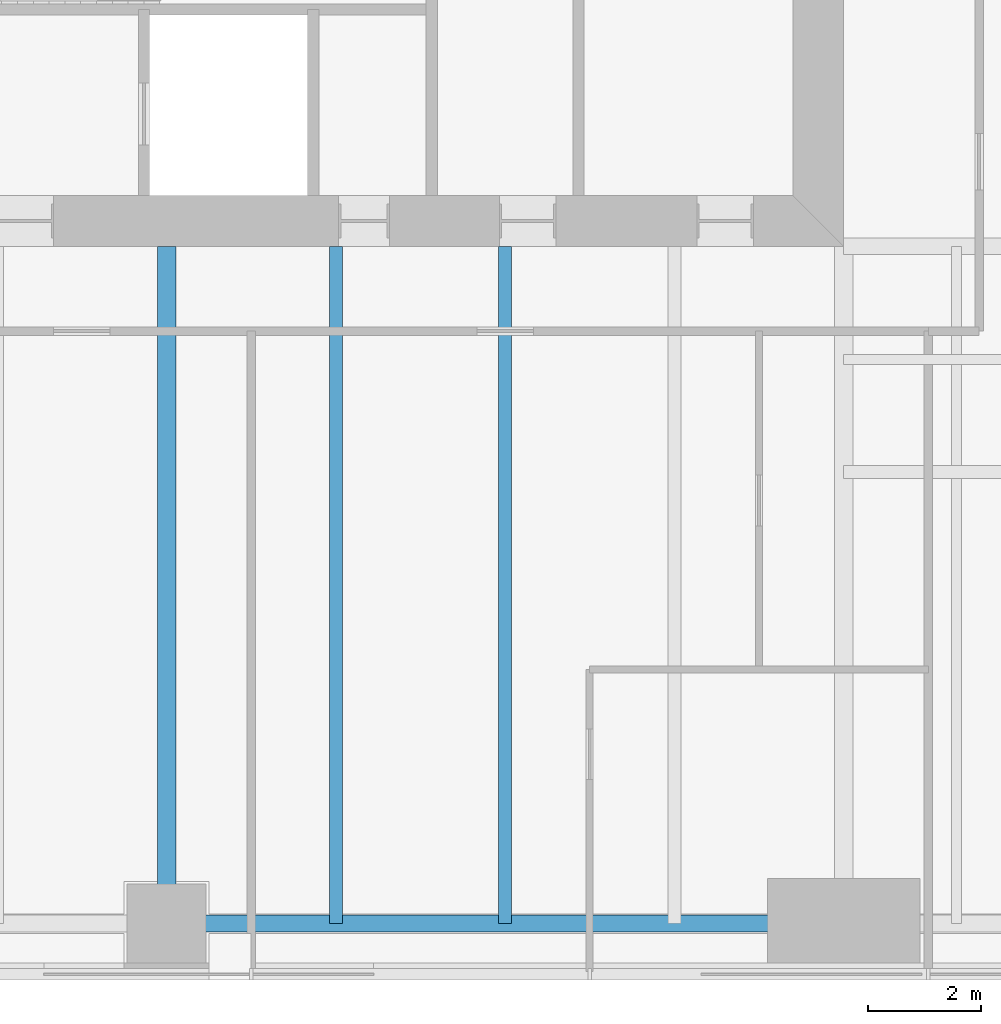
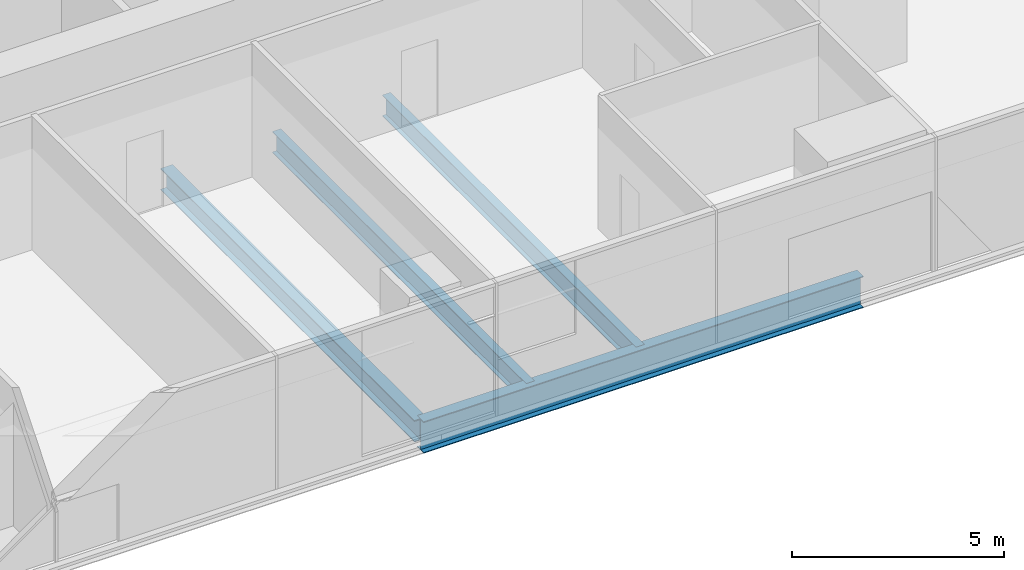
# One storey, part 3 of 14: 4 beams.
"""IFC4 building model written with IfcOpenShell, lengths in metres."""

import ifcopenshell
import ifcopenshell.guid

model = None  # the IFC model being written
_history = None  # IfcOwnerHistory: only IFC2X3 demands one
_inside = {}  # id of a spatial element -> (the spatial element, [elements in it])
_under = {}  # id of a project, library or spatial element -> (it, [spatial elements below it])
_declared = {}  # id of a project -> (the project, [libraries it declares])
_typed = {}  # id of a type object -> (the type object, [elements of that type])
_made_of = {}  # id of a material, layer set ... -> (it, [elements and type objects made of it])


def new_model(schema):
    """Start an empty IFC model of exactly this schema.

    Asked for "IFC4X3", IfcOpenShell would pick the latest addendum, in which some entities
    have other attributes; the version numbers below select the first issue.
    IFC2X3 requires an IfcOwnerHistory on every rooted entity: one is made here for all.
    """
    global model, _history
    if schema == "IFC4X3":
        model = ifcopenshell.file(schema_version=(4, 3, 0, 0))
    else:
        model = ifcopenshell.file(schema=schema)
    _inside.clear()
    _under.clear()
    _declared.clear()
    _typed.clear()
    _made_of.clear()
    _history = None
    if model.schema == "IFC2X3":
        org = make("IfcOrganization", Name="unknown")
        user = make(
            "IfcPersonAndOrganization",
            ThePerson=make("IfcPerson", FamilyName="unknown"),
            TheOrganization=org,
        )
        app = make(
            "IfcApplication",
            ApplicationDeveloper=org,
            Version="unknown",
            ApplicationFullName="unknown",
            ApplicationIdentifier="unknown",
        )
        _history = make(
            "IfcOwnerHistory",
            OwningUser=user,
            OwningApplication=app,
            ChangeAction="ADDED",
            CreationDate=0,
        )
    return model


def make(cls, **values):
    """One entity of the class cls with the attributes given. An attribute that is None is left unset."""
    return model.create_entity(
        cls, **{name: value for name, value in values.items() if value is not None}
    )


def rooted(cls, **values):
    """An entity with a GlobalId (a new one), such as an element, a storey or a relation."""
    return make(cls, GlobalId=ifcopenshell.guid.new(), OwnerHistory=_history, **values)


def si_unit(unit_type, name, prefix=None):
    """IfcSIUnit, for example si_unit("LENGTHUNIT", "METRE", prefix="MILLI")."""
    return make("IfcSIUnit", UnitType=unit_type, Prefix=prefix, Name=name)


def assignment(units):
    """IfcUnitAssignment: the units of a project."""
    return None if units is None else make("IfcUnitAssignment", Units=units)


def point(xyz):
    """IfcCartesianPoint."""
    return None if xyz is None else make("IfcCartesianPoint", Coordinates=xyz)


def direction(xyz):
    """IfcDirection."""
    return None if xyz is None else make("IfcDirection", DirectionRatios=xyz)


def frame(location, z_axis=None, x_axis=None):
    """IfcAxis2Placement3D, a coordinate frame: its origin and axes. An axis left out is left unset."""
    return make(
        "IfcAxis2Placement3D",
        Location=point(location),
        Axis=direction(z_axis),
        RefDirection=direction(x_axis),
    )


def frame_2d(location, x_axis=None):
    """IfcAxis2Placement2D, a coordinate frame in the plane: its origin and x axis."""
    return make(
        "IfcAxis2Placement2D", Location=point(location), RefDirection=direction(x_axis)
    )


def origin():
    """The frame at (0, 0, 0) with its axes left unset."""
    return frame((0.0, 0.0, 0.0))


def origin_2d():
    """The frame at (0, 0) in the plane with its x axis left unset."""
    return frame_2d((0.0, 0.0))


def place(relative_to, where):
    """IfcLocalPlacement: puts the frame where relative to a parent placement (None: the world)."""
    return make(
        "IfcLocalPlacement", PlacementRelTo=relative_to, RelativePlacement=where
    )


def context(
    kind, dimensions, precision=None, world=None, true_north=None, identifier=None
):
    """IfcGeometricRepresentationContext, for example the 3D "Model" context."""
    return make(
        "IfcGeometricRepresentationContext",
        ContextIdentifier=identifier,
        ContextType=kind,
        CoordinateSpaceDimension=dimensions,
        Precision=precision,
        WorldCoordinateSystem=world,
        TrueNorth=true_north,
    )


def subcontext(parent, identifier, kind, view, scale=None):
    """IfcGeometricRepresentationSubContext, for example "Body" below "Model"."""
    return make(
        "IfcGeometricRepresentationSubContext",
        ContextIdentifier=identifier,
        ContextType=kind,
        ParentContext=parent,
        TargetScale=scale,
        TargetView=view,
    )


def project(units=None, contexts=None):
    """IfcProject with its units and contexts."""
    return rooted(
        "IfcProject",
        Name="project",
        RepresentationContexts=contexts,
        UnitsInContext=assignment(units),
    )


def spatial(cls, under=None, at=None, **own):
    """A site, building, storey or space (cls), placed at a placement, below another one or the project."""
    s = rooted(cls, ObjectPlacement=at, **own)
    if under is not None:
        _under.setdefault(under.id(), (under, []))[1].append(s)
    return s


def profile(cls, at=None, kind="AREA", **sizes):
    """A parametric profile (cls). Its sizes go by their IFC names, for example OverallWidth=200.0."""
    return make(cls, ProfileType=kind, Position=at, **sizes)


def i_section(**sizes):
    """IfcIShapeProfileDef."""
    return profile("IfcIShapeProfileDef", **sizes)


def extrude(swept, where, along, depth):
    """IfcExtrudedAreaSolid: the profile swept, set in the frame where, extruded along a direction by depth."""
    return make(
        "IfcExtrudedAreaSolid",
        SweptArea=swept,
        Position=where,
        ExtrudedDirection=direction(along),
        Depth=depth,
    )


def shape(context_of_items, identifier, shape_type, items):
    """IfcShapeRepresentation: the items that make up one representation, for example the "Body"."""
    return make(
        "IfcShapeRepresentation",
        ContextOfItems=context_of_items,
        RepresentationIdentifier=identifier,
        RepresentationType=shape_type,
        Items=items,
    )


def material(Name=None, Category=None):
    """IfcMaterial."""
    return make("IfcMaterial", Name=Name, Category=Category)


def material_profile(
    of_material, cross_section, Name=None, Category=None, Priority=None
):
    """IfcMaterialProfile: a cross section and its material."""
    return make(
        "IfcMaterialProfile",
        Name=Name,
        Material=of_material,
        Profile=cross_section,
        Priority=Priority,
        Category=Category,
    )


def profile_set(profiles, Name=None, composite=None):
    """IfcMaterialProfileSet."""
    return make(
        "IfcMaterialProfileSet",
        Name=Name,
        MaterialProfiles=profiles,
        CompositeProfile=composite,
    )


def made_of(thing, what):
    """Note that an element or type object is made of a material, layer set ...; save() writes the relation."""
    if what is not None:
        _made_of.setdefault(what.id(), (what, []))[1].append(thing)
    return thing


def type_object(cls, material=None, **own):
    """A type object (cls), such as IfcWallType, which elements share."""
    return made_of(rooted(cls, **own), material)


def element(
    cls,
    number,
    at=None,
    inside=None,
    cuts=None,
    type_object=None,
    material=None,
    context=None,
    identifier="Body",
    shape_type=None,
    held_by="IfcProductDefinitionShape",
    body=None,
    shapes=None,
    **own,
):
    """One element of the class cls, such as IfcWall. Its Tag is "e" and its number.

    at: its placement. inside: the storey or other place that contains it. cuts: it is an
    opening in that element (IfcRelVoidsElement). A single representation is given by context,
    identifier, shape_type and body (its items); several are given by shapes. held_by: the class
    of the entity that holds the representations. save() writes the other relations.
    """
    e = rooted(cls, Tag="e%d" % number, ObjectPlacement=at, **own)
    if body is not None:
        shapes = [shape(context, identifier, shape_type, body)]
    if shapes is not None:
        e.Representation = make(held_by, Representations=shapes)
    if inside is not None:
        _inside.setdefault(inside.id(), (inside, []))[1].append(e)
    if cuts is not None:
        rooted(
            "IfcRelVoidsElement", RelatingBuildingElement=cuts, RelatedOpeningElement=e
        )
    if type_object is not None:
        _typed.setdefault(type_object.id(), (type_object, []))[1].append(e)
    return made_of(e, material)


def aggregate(whole, parts):
    """IfcRelAggregates: a whole, such as a stair, and the parts it consists of."""
    return rooted("IfcRelAggregates", RelatingObject=whole, RelatedObjects=parts)


def save(model, path):
    """Write the relations noted so far, then the file.

    IfcRelAggregates (storeys below a building ...), IfcRelContainedInSpatialStructure (elements
    in a storey), IfcRelDefinesByType, IfcRelAssociatesMaterial and IfcRelDeclares: one each for
    every whole, place, type object, material and project.
    """
    for whole, parts in _under.values():
        aggregate(whole, parts)
    for where, things in _inside.values():
        rooted(
            "IfcRelContainedInSpatialStructure",
            RelatedElements=things,
            RelatingStructure=where,
        )
    for kind, things in _typed.values():
        rooted("IfcRelDefinesByType", RelatedObjects=things, RelatingType=kind)
    for what, things in _made_of.values():
        rooted("IfcRelAssociatesMaterial", RelatedObjects=things, RelatingMaterial=what)
    for by, libraries in _declared.values():
        rooted("IfcRelDeclares", RelatingContext=by, RelatedDefinitions=libraries)
    model.write(path)


model = new_model("IFC4")

# Units and contexts
model_context = context("Model", 3, precision=1e-05, world=origin(), true_north=direction((0.0, 1.0)))
body_context = subcontext(model_context, "Body", "Model", "MODEL_VIEW")
ifc_project = project(units=[si_unit("LENGTHUNIT", "METRE"), si_unit("AREAUNIT", "SQUARE_METRE"), si_unit("VOLUMEUNIT", "CUBIC_METRE"), si_unit("PLANEANGLEUNIT", "RADIAN"), si_unit("MASSUNIT", "GRAM", prefix="KILO")], contexts=[model_context])

# Site, building, storey
site_placement = place(None, origin())
site = spatial("IfcSite", under=ifc_project, at=site_placement, CompositionType="ELEMENT")
building_placement = place(site_placement, origin())
building = spatial("IfcBuilding", under=site, at=building_placement, Name="Fenwick Lantern Interchange", CompositionType="ELEMENT")
storey_placement = place(building_placement, frame((0.0, 0.0, 71.0)))
storey = spatial("IfcBuildingStorey", under=building, at=storey_placement, Name="L16", CompositionType="ELEMENT", Elevation=71.0)

# Beams
ifc_material = material(Name="Steel ASTM A992 Grade 50", Category="steel")
ifc_material_profile_1 = material_profile(ifc_material, i_section(OverallWidth=0.3046875, OverallDepth=0.911865234375, WebThickness=0.015869140625, FlangeThickness=0.02392578125, at=origin_2d()), Name="W36X150")
ifc_profile_set_1 = profile_set([ifc_material_profile_1], Name="Steel ASTM A992 Grade 50")
beam_type_1 = type_object("IfcBeamType", Name="EDGE BEAM W36X150", PredefinedType="SPANDREL", material=ifc_profile_set_1)
beam_1_placement = place(storey_placement, frame((25.0, 1.0, -0.60595703125), z_axis=(1.0, 0.0, 0.0), x_axis=(0.0, 1.0, 0.0)))
element("IfcBeam", 1, at=beam_1_placement, inside=storey, type_object=beam_type_1, Name="L16/FR/S/EB3", PredefinedType="SPANDREL", context=body_context, shape_type="SweptSolid", body=[
    extrude(i_section(OverallWidth=0.3046875, OverallDepth=0.911865234375, WebThickness=0.015869140625, FlangeThickness=0.02392578125, at=origin_2d()), origin(), (0.0, 0.0, 1.0), 12.0),
])
ifc_material_profile_2 = material_profile(ifc_material, i_section(OverallWidth=0.22900390625, OverallDepth=0.612060546875, WebThickness=0.011962890625, FlangeThickness=0.01953125, at=origin_2d()), Name="W24X84")
ifc_profile_set_2 = profile_set([ifc_material_profile_2], Name="Steel ASTM A992 Grade 50")
beam_type_2 = type_object("IfcBeamType", Name="FLOOR BEAM W24X84", PredefinedType="BEAM", material=ifc_profile_set_2)
for number, where, z_axis, x_axis, name in (
    (2, (28.0, 1.0, -0.4560546875), (0.0, 1.0, 0.0), (-1.0, 0.0, 0.0), "L16/FR/S/R06"),
    (3, (31.0, 1.0, -0.4560546875), (0.0, 1.0, 0.0), (-1.0, 0.0, 0.0), "L16/FR/S/R07"),
):
    element("IfcBeam", number, at=place(storey_placement, frame(where, z_axis=z_axis, x_axis=x_axis)), inside=storey, type_object=beam_type_2, Name=name, PredefinedType="BEAM", context=body_context, shape_type="SweptSolid", body=[
        extrude(i_section(OverallWidth=0.22900390625, OverallDepth=0.612060546875, WebThickness=0.011962890625, FlangeThickness=0.01953125, at=origin_2d()), origin(), (0.0, 0.0, 1.0), 12.0),
    ])
ifc_material_profile_3 = material_profile(ifc_material, i_section(OverallWidth=0.32763671875, OverallDepth=0.622314453125, WebThickness=0.015380859375, FlangeThickness=0.0244140625, at=origin_2d()), Name="W24X131")
ifc_profile_set_3 = profile_set([ifc_material_profile_3], Name="Steel ASTM A992 Grade 50")
beam_type_3 = type_object("IfcBeamType", Name="MOMENT-CONNECTED GIRDER W24X131", PredefinedType="BEAM", material=ifc_profile_set_3)
beam_2_placement = place(storey_placement, frame((25.0, 1.0, -0.461181640625), z_axis=(0.0, 1.0, 0.0), x_axis=(-1.0, 0.0, 0.0)))
element("IfcBeam", 4, at=beam_2_placement, inside=storey, type_object=beam_type_3, Name="L16/FR/S/R05", PredefinedType="BEAM", context=body_context, shape_type="SweptSolid", body=[
    extrude(i_section(OverallWidth=0.32763671875, OverallDepth=0.622314453125, WebThickness=0.015380859375, FlangeThickness=0.0244140625, at=origin_2d()), origin(), (0.0, 0.0, 1.0), 12.0),
])

save(model, "model.ifc")
